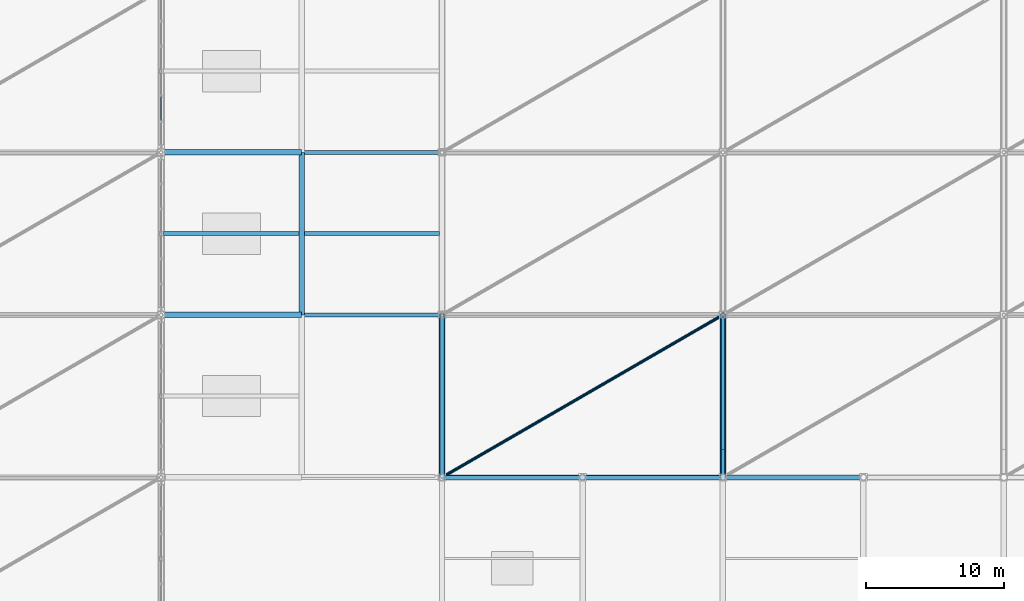
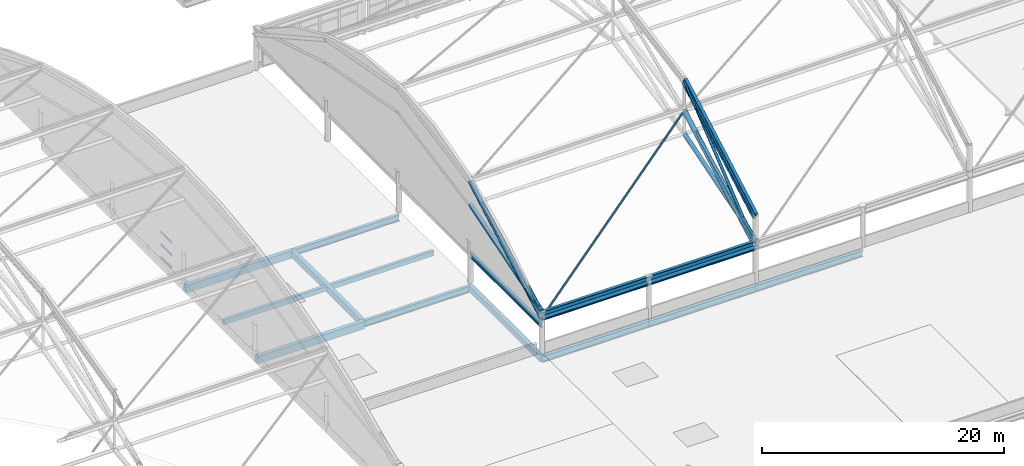
# One storey, part 54 of 135: 14 beams, 12 members, 1 element without a shape of its own.
"""IFC4 building model written with IfcOpenShell, lengths in metres."""

from ifc_helpers import new_model, si_unit, direction, frame, origin, origin_2d, place, context, subcontext, project, spatial, rectangle, hollow_rectangle, hollow_circle, i_section, extrude, material, material_profile, profile_set, type_object, element, aggregate, save


model = new_model("IFC4")

# Units and contexts
model_context = context("Model", 3, precision=1e-05, world=origin(), true_north=direction((0.0, 1.0)))
body_context = subcontext(model_context, "Body", "Model", "MODEL_VIEW")
ifc_project = project(units=[si_unit("LENGTHUNIT", "METRE"), si_unit("AREAUNIT", "SQUARE_METRE"), si_unit("VOLUMEUNIT", "CUBIC_METRE"), si_unit("PLANEANGLEUNIT", "RADIAN"), si_unit("MASSUNIT", "GRAM", prefix="KILO")], contexts=[model_context])

# Site, building, storey
site_placement = place(None, origin())
site = spatial("IfcSite", under=ifc_project, at=site_placement, CompositionType="ELEMENT")
building_placement = place(site_placement, origin())
building = spatial("IfcBuilding", under=site, at=building_placement, Name="Brelvane Convention Centre", CompositionType="ELEMENT")
storey_placement = place(building_placement, frame((0.0, 0.0, 15.0)))
storey = spatial("IfcBuildingStorey", under=building, at=storey_placement, Name="L03", CompositionType="ELEMENT", Elevation=15.0)

# Curtain wall, members
ifc_material_1 = material(Name="Anodised Aluminium Alloy 6063-T6", Category="aluminium")
curtain_wall_type = type_object("IfcCurtainWallType", Name="Curtain Wall CW-HULL-N", PredefinedType="USERDEFINED", material=ifc_material_1)
curtain_wall_placement = place(storey_placement, origin())
curtain_wall = element("IfcCurtainWall", 1, at=curtain_wall_placement, inside=storey, type_object=curtain_wall_type, Name="Curtain Wall CW-HULL-N L03-EXH-E-CLER-4", ObjectType="UNITISED", PredefinedType="USERDEFINED")
ifc_material_2 = material(Name="Anodised Aluminium Alloy 6063-T6", Category="aluminium")
ifc_material_profile_1 = material_profile(ifc_material_2, hollow_rectangle(XDim=0.080078125, YDim=0.179931640625, WallThickness=0.0048828125, InnerFilletRadius=0.0048828125, OuterFilletRadius=0.010009765625, at=origin_2d()), Name="ALU-T 180x80x5.0")
ifc_profile_set_1 = profile_set([ifc_material_profile_1], Name="Anodised Aluminium Alloy 6063-T6")
member_type_1 = type_object("IfcMemberType", Name="Curtain Transom CW-T1", PredefinedType="USERDEFINED", material=ifc_profile_set_1)
member_1_placement = place(storey_placement, frame((142.800048828125, 66.506591796875, 0.0400390625), z_axis=(0.0, 1.0, 0.0), x_axis=(-1.0, 0.0, 0.0)))
member_1 = element("IfcMember", 2, at=member_1_placement, type_object=member_type_1, Name="CW-HULL-N transom 2.1", ObjectType="TRANSOM", PredefinedType="USERDEFINED", context=body_context, shape_type="SweptSolid", body=[
    extrude(hollow_rectangle(XDim=0.080078125, YDim=0.179931640625, WallThickness=0.0048828125, InnerFilletRadius=0.0048828125, OuterFilletRadius=0.010009765625, at=origin_2d()), origin(), (0.0, 0.0, 1.0), 1.73681640625),
])
member_2_placement = place(storey_placement, frame((142.800048828125, 66.506591796875, 1.300048828125), z_axis=(0.0, 1.0, 0.0), x_axis=(-1.0, 0.0, 0.0)))
member_2 = element("IfcMember", 3, at=member_2_placement, type_object=member_type_1, Name="CW-HULL-N transom 2.2", ObjectType="TRANSOM", PredefinedType="USERDEFINED", context=body_context, shape_type="SweptSolid", body=[
    extrude(hollow_rectangle(XDim=0.080078125, YDim=0.179931640625, WallThickness=0.0048828125, InnerFilletRadius=0.0048828125, OuterFilletRadius=0.010009765625, at=origin_2d()), origin(), (0.0, 0.0, 1.0), 1.73681640625),
])
member_3_placement = place(storey_placement, frame((142.800048828125, 66.506591796875, 2.56005859375), z_axis=(0.0, 1.0, 0.0), x_axis=(-1.0, 0.0, 0.0)))
member_3 = element("IfcMember", 4, at=member_3_placement, type_object=member_type_1, Name="CW-HULL-N transom 2.3", ObjectType="TRANSOM", PredefinedType="USERDEFINED", context=body_context, shape_type="SweptSolid", body=[
    extrude(hollow_rectangle(XDim=0.080078125, YDim=0.179931640625, WallThickness=0.0048828125, InnerFilletRadius=0.0048828125, OuterFilletRadius=0.010009765625, at=origin_2d()), origin(), (0.0, 0.0, 1.0), 1.73681640625),
])
aggregate(curtain_wall, [member_1, member_2, member_3])

# Beams
ifc_material_3 = material(Name="Concrete M40", Category="concrete")
ifc_material_profile_2 = material_profile(ifc_material_3, rectangle(XDim=0.39990234375, YDim=0.75, at=origin_2d()), Name="RC 400x750")
ifc_profile_set_2 = profile_set([ifc_material_profile_2], Name="Concrete M40")
beam_type_1 = type_object("IfcBeamType", Name="RC Beam B-RC6 (RC 400x750)", PredefinedType="BEAM", material=ifc_profile_set_2)
for number, where, z_axis, x_axis, name in (
    (5, (142.800048828125, 52.39990234375, -0.675048828125), (1.0, 0.0, 0.0), (0.0, 1.0, 0.0), "L03 Beam 15-16/F"),
    (6, (142.800048828125, 64.199951171875, -0.675048828125), (1.0, 0.0, 0.0), (0.0, 1.0, 0.0), "L03 Beam 15-16/G"),
):
    element("IfcBeam", number, at=place(storey_placement, frame(where, z_axis=z_axis, x_axis=x_axis)), inside=storey, type_object=beam_type_1, Name=name, PredefinedType="BEAM", context=body_context, shape_type="SweptSolid", body=[
        extrude(rectangle(XDim=0.39990234375, YDim=0.75, at=origin_2d()), origin(), (0.0, 0.0, 1.0), 10.199951171875),
    ])
ifc_material_4 = material(Name="Concrete M40", Category="concrete")
ifc_material_profile_3 = material_profile(ifc_material_4, rectangle(XDim=0.39990234375, YDim=0.64990234375, at=origin_2d()), Name="RC 400x650")
ifc_profile_set_3 = profile_set([ifc_material_profile_3], Name="Concrete M40")
beam_type_2 = type_object("IfcBeamType", Name="RC Beam B-RC7 (RC 400x650)", PredefinedType="BEAM", material=ifc_profile_set_3)
beam_1_placement = place(storey_placement, frame((153.0, 52.39990234375, -0.625), z_axis=(0.0, 1.0, 0.0), x_axis=(-1.0, 0.0, 0.0)))
element("IfcBeam", 7, at=beam_1_placement, inside=storey, type_object=beam_type_2, Name="L03 Girder 16/F-G", PredefinedType="BEAM", context=body_context, shape_type="SweptSolid", body=[
    extrude(rectangle(XDim=0.39990234375, YDim=0.64990234375, at=origin_2d()), origin(), (0.0, 0.0, 1.0), 11.800048828125),
])
ifc_material_5 = material(Name="Concrete M40", Category="concrete")
ifc_material_profile_4 = material_profile(ifc_material_5, rectangle(XDim=0.300048828125, YDim=0.5, at=origin_2d()), Name="RC 300x500")
ifc_profile_set_4 = profile_set([ifc_material_profile_4], Name="Concrete M40")
beam_type_3 = type_object("IfcBeamType", Name="RC Joist J-RC2 (RC 300x500)", PredefinedType="JOIST", material=ifc_profile_set_4)
for number, where, z_axis, x_axis, name in (
    (8, (142.97509765625, 58.300048828125, -0.550048828125), (1.0, 0.0, 0.0), (0.0, 1.0, 0.0), "L03 Secondary Joist 15-16/FG"),
    (9, (153.199951171875, 58.300048828125, -0.550048828125), (1.0, 0.0, 0.0), (0.0, 1.0, 0.0), "L03 Secondary Joist 16-17/FG"),
):
    element("IfcBeam", number, at=place(storey_placement, frame(where, z_axis=z_axis, x_axis=x_axis)), inside=storey, type_object=beam_type_3, Name=name, PredefinedType="JOIST", context=body_context, shape_type="SweptSolid", body=[
        extrude(rectangle(XDim=0.300048828125, YDim=0.5, at=origin_2d()), origin(), (0.0, 0.0, 1.0), 9.824951171875),
    ])
ifc_material_6 = material(Name="Concrete M40", Category="concrete")
ifc_material_profile_5 = material_profile(ifc_material_6, rectangle(XDim=0.35009765625, YDim=0.60009765625, at=origin_2d()), Name="RC 350x600")
ifc_profile_set_5 = profile_set([ifc_material_profile_5], Name="Concrete M40")
beam_type_4 = type_object("IfcBeamType", Name="RC Spandrel SP-RC2 (RC 350x600)", PredefinedType="SPANDREL", material=ifc_profile_set_5)
beam_2_placement = place(storey_placement, frame((163.199951171875, 40.60009765625, -0.60009765625), z_axis=(0.0, 1.0, 0.0), x_axis=(-1.0, 0.0, 0.0)))
element("IfcBeam", 10, at=beam_2_placement, inside=storey, type_object=beam_type_4, Name="L03 Girder 17/E-F", PredefinedType="SPANDREL", context=body_context, shape_type="SweptSolid", body=[
    extrude(rectangle(XDim=0.35009765625, YDim=0.60009765625, at=origin_2d()), origin(), (0.0, 0.0, 1.0), 11.7998046875),
])
ifc_material_7 = material(Name="Steel E450 (450 MPa)", Category="steel")
ifc_material_profile_6 = material_profile(ifc_material_7, i_section(OverallWidth=0.300048828125, OverallDepth=0.89990234375, WebThickness=0.0166015625, FlangeThickness=0.031982421875, FilletRadius=0.027099609375, at=origin_2d()), Name="NPB 900x300")
ifc_profile_set_6 = profile_set([ifc_material_profile_6], Name="Steel E450 (450 MPa)")
beam_type_5 = type_object("IfcBeamType", Name="Steel Beam B-ST1 (NPB 900x300)", PredefinedType="BEAM", material=ifc_profile_set_6)
beam_3_placement = place(storey_placement, frame((163.199951171875, 40.60009765625, 3.75), z_axis=(1.0, 0.0, 0.0), x_axis=(0.0, 1.0, 0.0)))
element("IfcBeam", 11, at=beam_3_placement, inside=storey, type_object=beam_type_5, Name="SF_PLEN Eaves Ring Girder S-1", PredefinedType="BEAM", context=body_context, shape_type="SweptSolid", body=[
    extrude(i_section(OverallWidth=0.300048828125, OverallDepth=0.89990234375, WebThickness=0.0166015625, FlangeThickness=0.031982421875, FilletRadius=0.027099609375, at=origin_2d()), origin(), (0.0, 0.0, 1.0), 20.400146484375),
])
ifc_material_8 = material(Name="Steel E450 (450 MPa)", Category="steel")
ifc_material_profile_7 = material_profile(ifc_material_8, i_section(OverallWidth=0.300048828125, OverallDepth=0.800048828125, WebThickness=0.015380859375, FlangeThickness=0.030029296875, FilletRadius=0.027099609375, at=origin_2d()), Name="NPB 800x300")
ifc_profile_set_7 = profile_set([ifc_material_profile_7], Name="Steel E450 (450 MPa)")
beam_type_6 = type_object("IfcBeamType", Name="Steel Beam B-ST2 (NPB 800x300)", PredefinedType="BEAM", material=ifc_profile_set_7)
beam_4_placement = place(storey_placement, frame((183.60009765625, 40.60009765625, 6.60009765625), z_axis=(0.0, 0.872759320666, 0.488150763791), x_axis=(-1.0, 0.0, 0.0)))
element("IfcBeam", 12, at=beam_4_placement, inside=storey, type_object=beam_type_6, Name="EXO_PLEN Exoskeletal Arch Girder 2.1", PredefinedType="BEAM", context=body_context, shape_type="SweptSolid", body=[
    extrude(i_section(OverallWidth=0.300048828125, OverallDepth=0.800048828125, WebThickness=0.015380859375, FlangeThickness=0.030029296875, FilletRadius=0.027099609375, at=origin_2d()), origin(), (0.0, 0.0, 1.0), 13.52001953125),
])
ifc_material_9 = material(Name="Steel E350 (350 MPa)", Category="steel")
ifc_material_profile_8 = material_profile(ifc_material_9, i_section(OverallWidth=0.300048828125, OverallDepth=0.64990234375, WebThickness=0.014404296875, FlangeThickness=0.02587890625, FilletRadius=0.02392578125, at=origin_2d()), Name="NPB 650x300")
ifc_profile_set_8 = profile_set([ifc_material_profile_8], Name="Steel E350 (350 MPa)")
beam_type_7 = type_object("IfcBeamType", Name="Steel Beam B-ST4 (NPB 650x300)", PredefinedType="BEAM", material=ifc_profile_set_8)
for number, where, z_axis, x_axis, name in (
    (13, (153.0, 52.39990234375, -0.625), (1.0, 0.0, 0.0), (0.0, 1.0, 0.0), "L03 Beam 16-17/F"),
    (14, (153.0, 64.199951171875, -0.625), (1.0, 0.0, 0.0), (0.0, 1.0, 0.0), "L03 Beam 16-17/G"),
    (15, (163.199951171875, 40.60009765625, -0.625), (1.0, 0.0, 0.0), (0.0, 1.0, 0.0), "L03 Beam 17-18/E"),
):
    element("IfcBeam", number, at=place(storey_placement, frame(where, z_axis=z_axis, x_axis=x_axis)), inside=storey, type_object=beam_type_7, Name=name, PredefinedType="BEAM", context=body_context, shape_type="SweptSolid", body=[
        extrude(i_section(OverallWidth=0.300048828125, OverallDepth=0.64990234375, WebThickness=0.014404296875, FlangeThickness=0.02587890625, FilletRadius=0.02392578125, at=origin_2d()), origin(), (0.0, 0.0, 1.0), 10.199951171875),
    ])
beam_5_placement = place(storey_placement, frame((173.39990234375, 40.60009765625, -0.625), z_axis=(1.0, 0.0, 0.0), x_axis=(0.0, 1.0, 0.0)))
element("IfcBeam", 16, at=beam_5_placement, inside=storey, type_object=beam_type_7, Name="L03 Beam 18-19/E", PredefinedType="BEAM", context=body_context, shape_type="SweptSolid", body=[
    extrude(i_section(OverallWidth=0.300048828125, OverallDepth=0.64990234375, WebThickness=0.014404296875, FlangeThickness=0.02587890625, FilletRadius=0.02392578125, at=origin_2d()), origin(), (0.0, 0.0, 1.0), 10.2001953125),
])
beam_6_placement = place(storey_placement, frame((183.60009765625, 40.60009765625, -0.625), z_axis=(1.0, 0.0, 0.0), x_axis=(0.0, 1.0, 0.0)))
element("IfcBeam", 17, at=beam_6_placement, inside=storey, type_object=beam_type_7, Name="L03 Beam 19-20/E", PredefinedType="BEAM", context=body_context, shape_type="SweptSolid", body=[
    extrude(i_section(OverallWidth=0.300048828125, OverallDepth=0.64990234375, WebThickness=0.014404296875, FlangeThickness=0.02587890625, FilletRadius=0.02392578125, at=origin_2d()), origin(), (0.0, 0.0, 1.0), 10.199951171875),
])

# Members
ifc_material_10 = material(Name="Steel E350 (350 MPa)", Category="steel")
ifc_material_profile_9 = material_profile(ifc_material_10, hollow_circle(Radius=0.136474609375, WallThickness=0.012451171875, at=origin_2d()), Name="CHS 273.0x12.5")
ifc_profile_set_9 = profile_set([ifc_material_profile_9], Name="Steel E350 (350 MPa)")
member_type_2 = type_object("IfcMemberType", Name="Steel Brace SF-DG1 (CHS 273.0x12.5)", PredefinedType="BRACE", material=ifc_profile_set_9)
for number, where, z_axis, x_axis, name in (
    (18, (163.199951171875, 40.60009765625, 4.199951171875), (0.0, 0.893211567364, 0.449636626541), (-1.0, 0.0, 0.0), "SF_PLEN Space-Frame Web Diagonal D1.1"),
    (19, (183.60009765625, 40.60009765625, 4.199951171875), (0.0, 0.893211567364, 0.449636626541), (-1.0, 0.0, 0.0), "SF_PLEN Space-Frame Web Diagonal D2.1"),
):
    element("IfcMember", number, at=place(storey_placement, frame(where, z_axis=z_axis, x_axis=x_axis)), inside=storey, type_object=member_type_2, Name=name, PredefinedType="BRACE", context=body_context, shape_type="SweptSolid", body=[
        extrude(hollow_circle(Radius=0.136474609375, WallThickness=0.012451171875, at=origin_2d()), origin(), (0.0, 0.0, 1.0), 13.21044921875),
    ])
member_4_placement = place(storey_placement, frame((183.60009765625, 40.60009765625, 3.5400390625), z_axis=(0.0, 0.773779656464, 0.633454847043), x_axis=(-1.0, 0.0, 0.0)))
element("IfcMember", 20, at=member_4_placement, inside=storey, type_object=member_type_2, Name="EXO_PLEN Exoskeletal Arch Web 2.1", PredefinedType="BRACE", context=body_context, shape_type="SweptSolid", body=[
    extrude(hollow_circle(Radius=0.136474609375, WallThickness=0.012451171875, at=origin_2d()), origin(), (0.0, 0.0, 1.0), 15.24951171875),
])
ifc_material_11 = material(Name="Steel E350 (350 MPa)", Category="steel")
ifc_material_profile_10 = material_profile(ifc_material_11, hollow_circle(Radius=0.109619140625, WallThickness=0.010009765625, at=origin_2d()), Name="CHS 219.1x10.0")
ifc_profile_set_10 = profile_set([ifc_material_profile_10], Name="Steel E350 (350 MPa)")
member_type_3 = type_object("IfcMemberType", Name="Steel Brace SF-DG2 (CHS 219.1x10.0)", PredefinedType="BRACE", material=ifc_profile_set_10)
member_5_placement = place(storey_placement, frame((163.199951171875, 40.60009765625, 3.5400390625), z_axis=(0.833555614658, 0.482143275621, 0.269671835841), x_axis=(-0.500692800372, 0.865625045649, 0.0)))
element("IfcMember", 21, at=member_5_placement, inside=storey, type_object=member_type_3, Name="SF_PLEN Roof Diaphragm Brace PB1.1", PredefinedType="BRACE", context=body_context, shape_type="SweptSolid", body=[
    extrude(hollow_circle(Radius=0.109619140625, WallThickness=0.010009765625, at=origin_2d()), origin(), (0.0, 0.0, 1.0), 24.4736328125),
])
ifc_material_12 = material(Name="Steel E450 (450 MPa)", Category="steel")
ifc_material_profile_11 = material_profile(ifc_material_12, hollow_circle(Radius=0.203125, WallThickness=0.01611328125, at=origin_2d()), Name="CHS 406.4x16.0")
ifc_profile_set_11 = profile_set([ifc_material_profile_11], Name="Steel E450 (450 MPa)")
member_type_4 = type_object("IfcMemberType", Name="Steel Chord SF-BC1 (CHS 406.4x16.0)", PredefinedType="CHORD", material=ifc_profile_set_11)
for number, where, z_axis, x_axis, name in (
    (22, (163.199951171875, 40.60009765625, 4.199951171875), (0.0, 0.956473772599, 0.291818303624), (-1.0, 0.0, 0.0), "SF_PLEN Space-Frame Bottom Chord B1.1"),
    (23, (183.60009765625, 40.60009765625, 4.199951171875), (0.0, 0.956473772599, 0.291818303624), (-1.0, 0.0, 0.0), "SF_PLEN Space-Frame Bottom Chord B2.1"),
):
    element("IfcMember", number, at=place(storey_placement, frame(where, z_axis=z_axis, x_axis=x_axis)), inside=storey, type_object=member_type_4, Name=name, PredefinedType="CHORD", context=body_context, shape_type="SweptSolid", body=[
        extrude(hollow_circle(Radius=0.203125, WallThickness=0.01611328125, at=origin_2d()), origin(), (0.0, 0.0, 1.0), 12.336669921875),
    ])
ifc_material_13 = material(Name="Steel E450 (450 MPa)", Category="steel")
ifc_material_profile_12 = material_profile(ifc_material_13, hollow_circle(Radius=0.228515625, WallThickness=0.02001953125, at=origin_2d()), Name="CHS 457.0x20.0")
ifc_profile_set_12 = profile_set([ifc_material_profile_12], Name="Steel E450 (450 MPa)")
member_type_5 = type_object("IfcMemberType", Name="Steel Chord SF-TC1 (CHS 457.0x20.0)", PredefinedType="CHORD", material=ifc_profile_set_12)
for number, where, z_axis, x_axis, name in (
    (24, (163.199951171875, 40.60009765625, 3.5400390625), (0.0, 0.872759320666, 0.488150763791), (-1.0, 0.0, 0.0), "SF_PLEN Space-Frame Top Chord T1.1"),
    (25, (183.60009765625, 40.60009765625, 3.5400390625), (0.0, 0.872759320666, 0.488150763791), (-1.0, 0.0, 0.0), "SF_PLEN Space-Frame Top Chord T2.1"),
):
    element("IfcMember", number, at=place(storey_placement, frame(where, z_axis=z_axis, x_axis=x_axis)), inside=storey, type_object=member_type_5, Name=name, PredefinedType="CHORD", context=body_context, shape_type="SweptSolid", body=[
        extrude(hollow_circle(Radius=0.228515625, WallThickness=0.02001953125, at=origin_2d()), origin(), (0.0, 0.0, 1.0), 13.52001953125),
    ])
ifc_material_14 = material(Name="Steel E450 (450 MPa)", Category="steel")
ifc_material_profile_13 = material_profile(ifc_material_14, hollow_circle(Radius=0.177734375, WallThickness=0.01611328125, at=origin_2d()), Name="CHS 355.6x16.0")
ifc_profile_set_13 = profile_set([ifc_material_profile_13], Name="Steel E450 (450 MPa)")
member_type_6 = type_object("IfcMemberType", Name="Steel Chord SF-TC2 (CHS 355.6x16.0)", PredefinedType="CHORD", material=ifc_profile_set_13)
member_6_placement = place(storey_placement, frame((163.199951171875, 40.60009765625, 3.5400390625), z_axis=(1.0, 0.0, 0.0), x_axis=(0.0, 1.0, 0.0)))
element("IfcMember", 26, at=member_6_placement, inside=storey, type_object=member_type_6, Name="SF_PLEN Longitudinal Top Chord LT1.1", PredefinedType="CHORD", context=body_context, shape_type="SweptSolid", body=[
    extrude(hollow_circle(Radius=0.177734375, WallThickness=0.01611328125, at=origin_2d()), origin(), (0.0, 0.0, 1.0), 20.400146484375),
])

# Beam
ifc_material_15 = material(Name="Steel E350 (350 MPa)", Category="steel")
ifc_material_profile_14 = material_profile(ifc_material_15, i_section(OverallWidth=0.25, OverallDepth=0.5, WebThickness=0.010009765625, FlangeThickness=0.0146484375, FilletRadius=0.01611328125, at=origin_2d()), Name="ISWB 500")
ifc_profile_set_14 = profile_set([ifc_material_profile_14], Name="Steel E350 (350 MPa)")
beam_type_8 = type_object("IfcBeamType", Name="Steel Spandrel SP-ST1 (ISWB 500)", PredefinedType="SPANDREL", material=ifc_profile_set_14)
beam_7_placement = place(storey_placement, frame((163.199951171875, 40.60009765625, 2.800048828125), z_axis=(0.0, 1.0, 0.0), x_axis=(-1.0, 0.0, 0.0)))
element("IfcBeam", 27, at=beam_7_placement, inside=storey, type_object=beam_type_8, Name="Plenary Gable Tie Girder W-1", PredefinedType="SPANDREL", context=body_context, shape_type="SweptSolid", body=[
    extrude(i_section(OverallWidth=0.25, OverallDepth=0.5, WebThickness=0.010009765625, FlangeThickness=0.0146484375, FilletRadius=0.01611328125, at=origin_2d()), origin(), (0.0, 0.0, 1.0), 11.7998046875),
])

save(model, "model.ifc")
